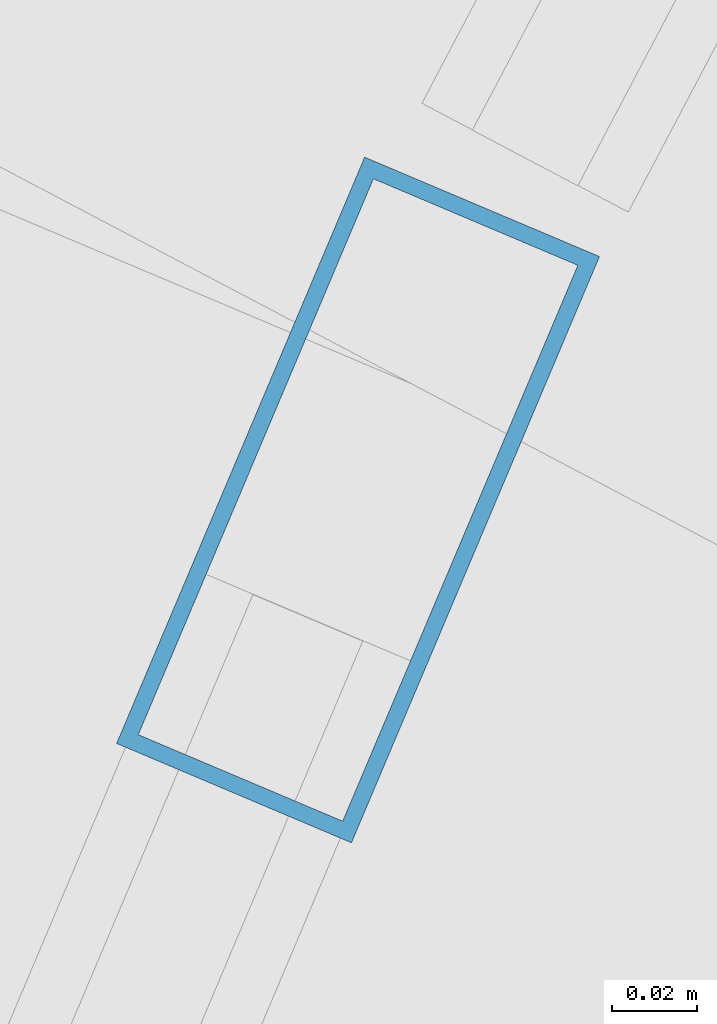
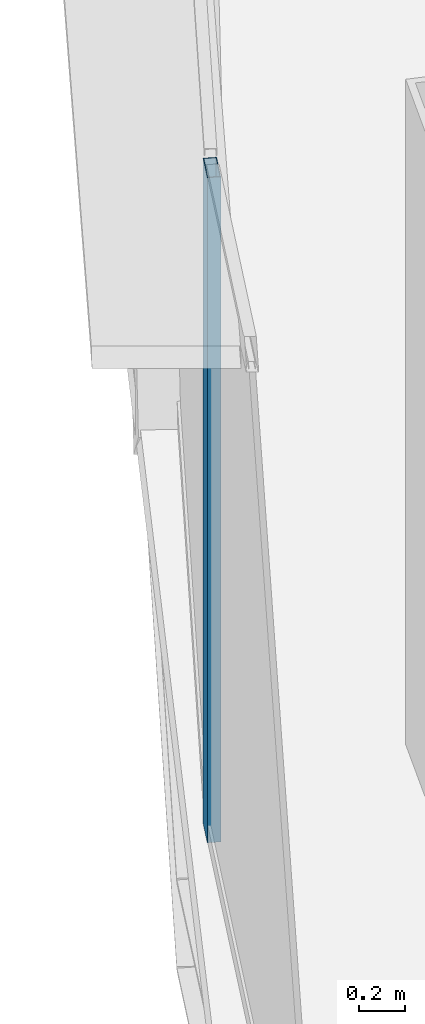
# One storey, part 8 of 36: 1 member, 1 element without a shape of its own.
"""IFC4 building model written with IfcOpenShell, lengths in metres."""

from ifc_helpers import new_model, si_unit, direction, frame, origin, origin_2d, place, context, subcontext, project, spatial, hollow_rectangle, extrude, source, transform, mapped, material, layer, layer_set, material_profile, profile_set, type_object, element, aggregate, save


model = new_model("IFC4")

# Units and contexts
model_context = context("Model", 3, precision=1e-05, world=origin(), true_north=direction((0.0, 1.0)))
body_context = subcontext(model_context, "Body", "Model", "MODEL_VIEW")
ifc_project = project(units=[si_unit("LENGTHUNIT", "METRE"), si_unit("AREAUNIT", "SQUARE_METRE"), si_unit("VOLUMEUNIT", "CUBIC_METRE"), si_unit("PLANEANGLEUNIT", "RADIAN"), si_unit("MASSUNIT", "GRAM", prefix="KILO"), si_unit("THERMODYNAMICTEMPERATUREUNIT", "KELVIN"), si_unit("POWERUNIT", "WATT")], contexts=[model_context])

# Site, building, storey
site_placement = place(None, origin())
site = spatial("IfcSite", under=ifc_project, at=site_placement, CompositionType="ELEMENT")
building_placement = place(site_placement, origin())
building = spatial("IfcBuilding", under=site, at=building_placement, Name="Yunzhuo Pagoda Commons", CompositionType="ELEMENT")
storey_placement = place(building_placement, frame((0.0, 0.0, 211.360107421875)))
storey = spatial("IfcBuildingStorey", under=building, at=storey_placement, Name="L53", CompositionType="ELEMENT", Elevation=211.360107421875)

# Curtain wall, member
ifc_material = material(Name="Anodized aluminium 6063-T6", Category="aluminium")
ifc_layer = layer(ifc_material, 0.14990234375)
ifc_layer_set = layer_set([ifc_layer], Name="Anodized aluminium 6063-T6")
curtain_wall_type = type_object("IfcCurtainWallType", Name="CW-MID Mid-Zone Ribbon Curtain Wall", PredefinedType="NOTDEFINED", material=ifc_layer_set)
curtain_wall_placement = place(storey_placement, origin())
curtain_wall = element("IfcCurtainWall", 1, at=curtain_wall_placement, inside=storey, type_object=curtain_wall_type, Name="L53 curtain wall CW-L53-F3B4", PredefinedType="NOTDEFINED")
ifc_material_profile = material_profile(ifc_material, hollow_rectangle(XDim=0.06005859375, YDim=0.14990234375, WallThickness=0.00390625, at=origin_2d()), Name="Anodized aluminium 6063-T6")
ifc_profile_set = profile_set([ifc_material_profile], Name="Anodized aluminium 6063-T6")
member_type = type_object("IfcMemberType", Name="CW-MID-M Mullion RHS 150x60x4", PredefinedType="MULLION", material=ifc_profile_set)
shared_shape = source(origin(), body_context, "Body", "SweptSolid", [
    extrude(hollow_rectangle(XDim=0.06005859375, YDim=0.14990234375, WallThickness=0.00390625, at=origin_2d()), origin(), (0.0, 0.0, 1.0), 3.539794921875),
])
member_placement = place(storey_placement, frame((18.150390625, 43.367431640625, 0.0), z_axis=(0.0, 0.0, 1.0), x_axis=(0.920979205321, -0.389611734123, 0.0)))
member = element("IfcMember", 2, at=member_placement, type_object=member_type, Name="CW mullion 1", PredefinedType="MULLION", context=body_context, shape_type="MappedRepresentation", body=[
    mapped(shared_shape, transform((0.0, 0.0, 0.0), scale=1.0)),
])
aggregate(curtain_wall, [member])

save(model, "model.ifc")
